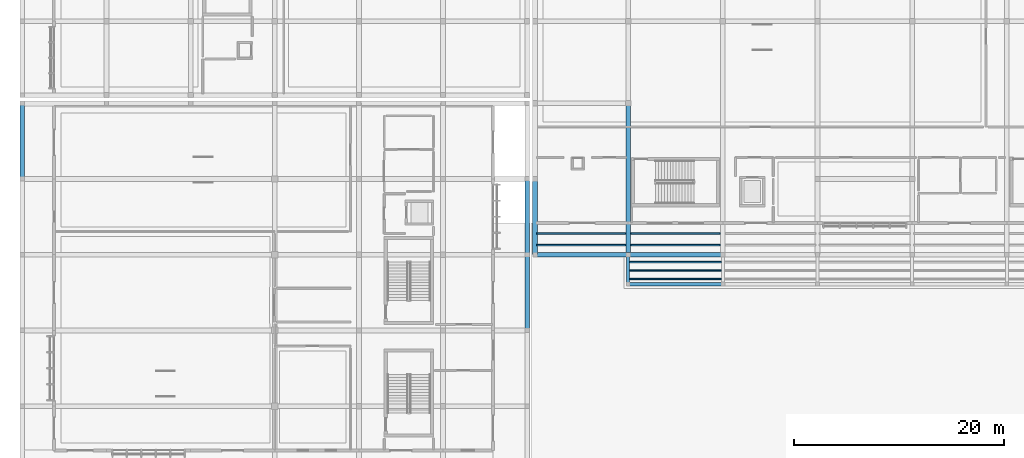
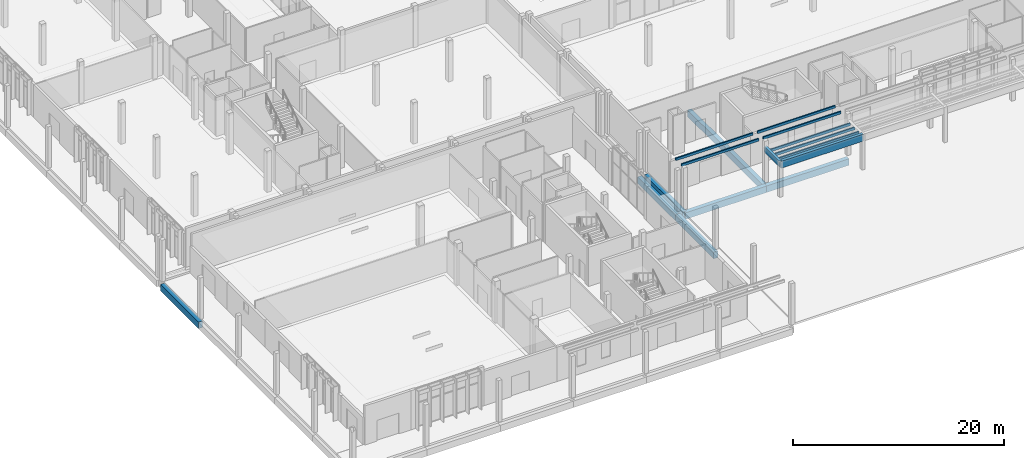
# One storey, part 22 of 151: 9 beams, 7 members.
"""IFC4 building model written with IfcOpenShell, lengths in metres."""

import ifcopenshell
import ifcopenshell.guid

model = None  # the IFC model being written
_history = None  # IfcOwnerHistory: only IFC2X3 demands one
_inside = {}  # id of a spatial element -> (the spatial element, [elements in it])
_under = {}  # id of a project, library or spatial element -> (it, [spatial elements below it])
_declared = {}  # id of a project -> (the project, [libraries it declares])
_typed = {}  # id of a type object -> (the type object, [elements of that type])
_made_of = {}  # id of a material, layer set ... -> (it, [elements and type objects made of it])


def new_model(schema):
    """Start an empty IFC model of exactly this schema.

    Asked for "IFC4X3", IfcOpenShell would pick the latest addendum, in which some entities
    have other attributes; the version numbers below select the first issue.
    IFC2X3 requires an IfcOwnerHistory on every rooted entity: one is made here for all.
    """
    global model, _history
    if schema == "IFC4X3":
        model = ifcopenshell.file(schema_version=(4, 3, 0, 0))
    else:
        model = ifcopenshell.file(schema=schema)
    _inside.clear()
    _under.clear()
    _declared.clear()
    _typed.clear()
    _made_of.clear()
    _history = None
    if model.schema == "IFC2X3":
        org = make("IfcOrganization", Name="unknown")
        user = make(
            "IfcPersonAndOrganization",
            ThePerson=make("IfcPerson", FamilyName="unknown"),
            TheOrganization=org,
        )
        app = make(
            "IfcApplication",
            ApplicationDeveloper=org,
            Version="unknown",
            ApplicationFullName="unknown",
            ApplicationIdentifier="unknown",
        )
        _history = make(
            "IfcOwnerHistory",
            OwningUser=user,
            OwningApplication=app,
            ChangeAction="ADDED",
            CreationDate=0,
        )
    return model


def make(cls, **values):
    """One entity of the class cls with the attributes given. An attribute that is None is left unset."""
    return model.create_entity(
        cls, **{name: value for name, value in values.items() if value is not None}
    )


def rooted(cls, **values):
    """An entity with a GlobalId (a new one), such as an element, a storey or a relation."""
    return make(cls, GlobalId=ifcopenshell.guid.new(), OwnerHistory=_history, **values)


def si_unit(unit_type, name, prefix=None):
    """IfcSIUnit, for example si_unit("LENGTHUNIT", "METRE", prefix="MILLI")."""
    return make("IfcSIUnit", UnitType=unit_type, Prefix=prefix, Name=name)


def assignment(units):
    """IfcUnitAssignment: the units of a project."""
    return None if units is None else make("IfcUnitAssignment", Units=units)


def point(xyz):
    """IfcCartesianPoint."""
    return None if xyz is None else make("IfcCartesianPoint", Coordinates=xyz)


def direction(xyz):
    """IfcDirection."""
    return None if xyz is None else make("IfcDirection", DirectionRatios=xyz)


def frame(location, z_axis=None, x_axis=None):
    """IfcAxis2Placement3D, a coordinate frame: its origin and axes. An axis left out is left unset."""
    return make(
        "IfcAxis2Placement3D",
        Location=point(location),
        Axis=direction(z_axis),
        RefDirection=direction(x_axis),
    )


def frame_2d(location, x_axis=None):
    """IfcAxis2Placement2D, a coordinate frame in the plane: its origin and x axis."""
    return make(
        "IfcAxis2Placement2D", Location=point(location), RefDirection=direction(x_axis)
    )


def origin():
    """The frame at (0, 0, 0) with its axes left unset."""
    return frame((0.0, 0.0, 0.0))


def origin_2d():
    """The frame at (0, 0) in the plane with its x axis left unset."""
    return frame_2d((0.0, 0.0))


def place(relative_to, where):
    """IfcLocalPlacement: puts the frame where relative to a parent placement (None: the world)."""
    return make(
        "IfcLocalPlacement", PlacementRelTo=relative_to, RelativePlacement=where
    )


def context(
    kind, dimensions, precision=None, world=None, true_north=None, identifier=None
):
    """IfcGeometricRepresentationContext, for example the 3D "Model" context."""
    return make(
        "IfcGeometricRepresentationContext",
        ContextIdentifier=identifier,
        ContextType=kind,
        CoordinateSpaceDimension=dimensions,
        Precision=precision,
        WorldCoordinateSystem=world,
        TrueNorth=true_north,
    )


def subcontext(parent, identifier, kind, view, scale=None):
    """IfcGeometricRepresentationSubContext, for example "Body" below "Model"."""
    return make(
        "IfcGeometricRepresentationSubContext",
        ContextIdentifier=identifier,
        ContextType=kind,
        ParentContext=parent,
        TargetScale=scale,
        TargetView=view,
    )


def project(units=None, contexts=None):
    """IfcProject with its units and contexts."""
    return rooted(
        "IfcProject",
        Name="project",
        RepresentationContexts=contexts,
        UnitsInContext=assignment(units),
    )


def spatial(cls, under=None, at=None, **own):
    """A site, building, storey or space (cls), placed at a placement, below another one or the project."""
    s = rooted(cls, ObjectPlacement=at, **own)
    if under is not None:
        _under.setdefault(under.id(), (under, []))[1].append(s)
    return s


def profile(cls, at=None, kind="AREA", **sizes):
    """A parametric profile (cls). Its sizes go by their IFC names, for example OverallWidth=200.0."""
    return make(cls, ProfileType=kind, Position=at, **sizes)


def rectangle(**sizes):
    """IfcRectangleProfileDef."""
    return profile("IfcRectangleProfileDef", **sizes)


def extrude(swept, where, along, depth):
    """IfcExtrudedAreaSolid: the profile swept, set in the frame where, extruded along a direction by depth."""
    return make(
        "IfcExtrudedAreaSolid",
        SweptArea=swept,
        Position=where,
        ExtrudedDirection=direction(along),
        Depth=depth,
    )


def shape(context_of_items, identifier, shape_type, items):
    """IfcShapeRepresentation: the items that make up one representation, for example the "Body"."""
    return make(
        "IfcShapeRepresentation",
        ContextOfItems=context_of_items,
        RepresentationIdentifier=identifier,
        RepresentationType=shape_type,
        Items=items,
    )


def material(Name=None, Category=None):
    """IfcMaterial."""
    return make("IfcMaterial", Name=Name, Category=Category)


def material_profile(
    of_material, cross_section, Name=None, Category=None, Priority=None
):
    """IfcMaterialProfile: a cross section and its material."""
    return make(
        "IfcMaterialProfile",
        Name=Name,
        Material=of_material,
        Profile=cross_section,
        Priority=Priority,
        Category=Category,
    )


def profile_set(profiles, Name=None, composite=None):
    """IfcMaterialProfileSet."""
    return make(
        "IfcMaterialProfileSet",
        Name=Name,
        MaterialProfiles=profiles,
        CompositeProfile=composite,
    )


def made_of(thing, what):
    """Note that an element or type object is made of a material, layer set ...; save() writes the relation."""
    if what is not None:
        _made_of.setdefault(what.id(), (what, []))[1].append(thing)
    return thing


def type_object(cls, material=None, **own):
    """A type object (cls), such as IfcWallType, which elements share."""
    return made_of(rooted(cls, **own), material)


def element(
    cls,
    number,
    at=None,
    inside=None,
    cuts=None,
    type_object=None,
    material=None,
    context=None,
    identifier="Body",
    shape_type=None,
    held_by="IfcProductDefinitionShape",
    body=None,
    shapes=None,
    **own,
):
    """One element of the class cls, such as IfcWall. Its Tag is "e" and its number.

    at: its placement. inside: the storey or other place that contains it. cuts: it is an
    opening in that element (IfcRelVoidsElement). A single representation is given by context,
    identifier, shape_type and body (its items); several are given by shapes. held_by: the class
    of the entity that holds the representations. save() writes the other relations.
    """
    e = rooted(cls, Tag="e%d" % number, ObjectPlacement=at, **own)
    if body is not None:
        shapes = [shape(context, identifier, shape_type, body)]
    if shapes is not None:
        e.Representation = make(held_by, Representations=shapes)
    if inside is not None:
        _inside.setdefault(inside.id(), (inside, []))[1].append(e)
    if cuts is not None:
        rooted(
            "IfcRelVoidsElement", RelatingBuildingElement=cuts, RelatedOpeningElement=e
        )
    if type_object is not None:
        _typed.setdefault(type_object.id(), (type_object, []))[1].append(e)
    return made_of(e, material)


def aggregate(whole, parts):
    """IfcRelAggregates: a whole, such as a stair, and the parts it consists of."""
    return rooted("IfcRelAggregates", RelatingObject=whole, RelatedObjects=parts)


def save(model, path):
    """Write the relations noted so far, then the file.

    IfcRelAggregates (storeys below a building ...), IfcRelContainedInSpatialStructure (elements
    in a storey), IfcRelDefinesByType, IfcRelAssociatesMaterial and IfcRelDeclares: one each for
    every whole, place, type object, material and project.
    """
    for whole, parts in _under.values():
        aggregate(whole, parts)
    for where, things in _inside.values():
        rooted(
            "IfcRelContainedInSpatialStructure",
            RelatedElements=things,
            RelatingStructure=where,
        )
    for kind, things in _typed.values():
        rooted("IfcRelDefinesByType", RelatedObjects=things, RelatingType=kind)
    for what, things in _made_of.values():
        rooted("IfcRelAssociatesMaterial", RelatedObjects=things, RelatingMaterial=what)
    for by, libraries in _declared.values():
        rooted("IfcRelDeclares", RelatingContext=by, RelatedDefinitions=libraries)
    model.write(path)


model = new_model("IFC4")

# Units and contexts
model_context = context("Model", 3, precision=1e-05, world=origin(), true_north=direction((0.0, 1.0)))
body_context = subcontext(model_context, "Body", "Model", "MODEL_VIEW")
ifc_project = project(units=[si_unit("LENGTHUNIT", "METRE"), si_unit("AREAUNIT", "SQUARE_METRE"), si_unit("VOLUMEUNIT", "CUBIC_METRE"), si_unit("PLANEANGLEUNIT", "RADIAN"), si_unit("MASSUNIT", "GRAM", prefix="KILO")], contexts=[model_context])

# Site, building, storey
site_placement = place(None, origin())
site = spatial("IfcSite", under=ifc_project, at=site_placement, CompositionType="ELEMENT")
building_placement = place(site_placement, origin())
building = spatial("IfcBuilding", under=site, at=building_placement, Name="Chiffa Square Polytechnic", CompositionType="ELEMENT")
storey_placement = place(building_placement, origin())
storey = spatial("IfcBuildingStorey", under=building, at=storey_placement, Name="L00", CompositionType="ELEMENT", Elevation=0.0)

# Beams
ifc_material_1 = material(Name="Concrete C35/45", Category="concrete")
ifc_material_profile_1 = material_profile(ifc_material_1, rectangle(XDim=0.449951171875, YDim=0.75, at=origin_2d()), Name="RC 450x750")
ifc_profile_set_1 = profile_set([ifc_material_profile_1], Name="Concrete C35/45")
beam_type_1 = type_object("IfcBeamType", Name="GB-RC-450X750", PredefinedType="BEAM", material=ifc_profile_set_1)
beam_1_placement = place(storey_placement, frame((0.0, 28.800048828125, -0.77490234375), z_axis=(0.0, 1.0, 0.0), x_axis=(-1.0, 0.0, 0.0)))
element("IfcBeam", 1, at=beam_1_placement, inside=storey, type_object=beam_type_1, Name="Ground tie beam GB-V3-Y-076", PredefinedType="BEAM", context=body_context, shape_type="SweptSolid", body=[
    extrude(rectangle(XDim=0.449951171875, YDim=0.75, at=origin_2d()), origin(), (0.0, 0.0, 1.0), 7.199951171875),
])
beam_2_placement = place(storey_placement, frame((48.0, 14.39990234375, -0.77490234375), z_axis=(0.0, 1.0, 0.0), x_axis=(-1.0, 0.0, 0.0)))
element("IfcBeam", 2, at=beam_2_placement, inside=storey, type_object=beam_type_1, Name="Ground tie beam GB-V3-Y-094", PredefinedType="BEAM", context=body_context, shape_type="SweptSolid", body=[
    extrude(rectangle(XDim=0.449951171875, YDim=0.75, at=origin_2d()), origin(), (0.0, 0.0, 1.0), 7.2001953125),
])
beam_3_placement = place(storey_placement, frame((48.0, 21.60009765625, -0.77490234375), z_axis=(0.0, 1.0, 0.0), x_axis=(-1.0, 0.0, 0.0)))
element("IfcBeam", 3, at=beam_3_placement, inside=storey, type_object=beam_type_1, Name="Ground tie beam GB-V3-Y-095", PredefinedType="BEAM", context=body_context, shape_type="SweptSolid", body=[
    extrude(rectangle(XDim=0.449951171875, YDim=0.75, at=origin_2d()), origin(), (0.0, 0.0, 1.0), 7.199951171875),
])
beam_4_placement = place(storey_placement, frame((48.75, 21.60009765625, -0.77490234375), z_axis=(1.0, 0.0, 0.0), x_axis=(0.0, 1.0, 0.0)))
element("IfcBeam", 4, at=beam_4_placement, inside=storey, type_object=beam_type_1, Name="Ground tie beam GB-V4-X-097", PredefinedType="BEAM", context=body_context, shape_type="SweptSolid", body=[
    extrude(rectangle(XDim=0.449951171875, YDim=0.75, at=origin_2d()), origin(), (0.0, 0.0, 1.0), 8.85009765625),
])
beam_5_placement = place(storey_placement, frame((57.60009765625, 21.60009765625, -0.77490234375), z_axis=(1.0, 0.0, 0.0), x_axis=(0.0, 1.0, 0.0)))
element("IfcBeam", 5, at=beam_5_placement, inside=storey, type_object=beam_type_1, Name="Ground tie beam GB-V4-X-098", PredefinedType="BEAM", context=body_context, shape_type="SweptSolid", body=[
    extrude(rectangle(XDim=0.449951171875, YDim=0.75, at=origin_2d()), origin(), (0.0, 0.0, 1.0), 9.0),
])
beam_6_placement = place(storey_placement, frame((48.75, 21.60009765625, -0.77490234375), z_axis=(0.0, 1.0, 0.0), x_axis=(-1.0, 0.0, 0.0)))
element("IfcBeam", 6, at=beam_6_placement, inside=storey, type_object=beam_type_1, Name="Ground tie beam GB-V4-Y-121", PredefinedType="BEAM", context=body_context, shape_type="SweptSolid", body=[
    extrude(rectangle(XDim=0.449951171875, YDim=0.75, at=origin_2d()), origin(), (0.0, 0.0, 1.0), 7.199951171875),
])
beam_7_placement = place(storey_placement, frame((57.60009765625, 21.60009765625, -0.77490234375), z_axis=(0.0, 1.0, 0.0), x_axis=(-1.0, 0.0, 0.0)))
element("IfcBeam", 7, at=beam_7_placement, inside=storey, type_object=beam_type_1, Name="Ground tie beam GB-V4-Y-125", PredefinedType="BEAM", context=body_context, shape_type="SweptSolid", body=[
    extrude(rectangle(XDim=0.449951171875, YDim=0.75, at=origin_2d()), origin(), (0.0, 0.0, 1.0), 14.39990234375),
])

# Members
ifc_material_2 = material(Name="Glulam GL28h", Category="wood")
ifc_material_profile_2 = material_profile(ifc_material_2, rectangle(XDim=0.139892578125, YDim=0.280029296875, at=origin_2d()), Name="GL28h 140x280")
ifc_profile_set_2 = profile_set([ifc_material_profile_2], Name="Glulam GL28h")
member_type = type_object("IfcMemberType", Name="MEM-RFT-GL140", PredefinedType="RAFTER", material=ifc_profile_set_2)
for number, where, z_axis, x_axis, name in (
    (8, (57.739990234375, 19.300048828125, 3.9599609375), (1.0, 0.0, 0.0), (0.0, 1.0, 0.0), "Civic square timber pergola rafter RF-SQN-01-193"),
    (9, (57.739990234375, 20.10009765625, 3.9599609375), (1.0, 0.0, 0.0), (0.0, 1.0, 0.0), "Civic square timber pergola rafter RF-SQN-01-201"),
    (10, (57.739990234375, 20.89990234375, 3.9599609375), (1.0, 0.0, 0.0), (0.0, 1.0, 0.0), "Civic square timber pergola rafter RF-SQN-01-209"),
):
    element("IfcMember", number, at=place(storey_placement, frame(where, z_axis=z_axis, x_axis=x_axis)), inside=storey, type_object=member_type, Name=name, PredefinedType="RAFTER", context=body_context, shape_type="SweptSolid", body=[
        extrude(rectangle(XDim=0.139892578125, YDim=0.280029296875, at=origin_2d()), origin(), (0.0, 0.0, 1.0), 8.719970703125),
    ])
for number, where, z_axis, x_axis, name in (
    (11, (48.923095703125, 22.5, 4.382080078125), (1.0, 0.0, 0.0), (0.0, 1.0, 0.0), "Chiffa Square colonnade purlin rafter RF-COL-S-007"),
    (12, (48.923095703125, 23.60009765625, 4.382080078125), (1.0, 0.0, 0.0), (0.0, 1.0, 0.0), "Chiffa Square colonnade purlin rafter RF-COL-S-008"),
):
    element("IfcMember", number, at=place(storey_placement, frame(where, z_axis=z_axis, x_axis=x_axis)), inside=storey, type_object=member_type, Name=name, PredefinedType="RAFTER", context=body_context, shape_type="SweptSolid", body=[
        extrude(rectangle(XDim=0.139892578125, YDim=0.280029296875, at=origin_2d()), origin(), (0.0, 0.0, 1.0), 8.428955078125),
    ])
for number, where, z_axis, x_axis, name in (
    (13, (57.847900390625, 22.5, 4.382080078125), (1.0, 0.0, 0.0), (0.0, 1.0, 0.0), "Chiffa Square colonnade purlin rafter RF-COL-S-009"),
    (14, (57.847900390625, 23.60009765625, 4.382080078125), (1.0, 0.0, 0.0), (0.0, 1.0, 0.0), "Chiffa Square colonnade purlin rafter RF-COL-S-010"),
):
    element("IfcMember", number, at=place(storey_placement, frame(where, z_axis=z_axis, x_axis=x_axis)), inside=storey, type_object=member_type, Name=name, PredefinedType="RAFTER", context=body_context, shape_type="SweptSolid", body=[
        extrude(rectangle(XDim=0.139892578125, YDim=0.280029296875, at=origin_2d()), origin(), (0.0, 0.0, 1.0), 8.504150390625),
    ])

# Beams
ifc_material_profile_3 = material_profile(ifc_material_2, rectangle(XDim=0.280029296875, YDim=0.639892578125, at=origin_2d()), Name="GL28h 280x640")
ifc_profile_set_3 = profile_set([ifc_material_profile_3], Name="Glulam GL28h")
beam_type_2 = type_object("IfcBeamType", Name="RB-GL-280X640", PredefinedType="SPANDREL", material=ifc_profile_set_3)
beam_8_placement = place(storey_placement, frame((57.60009765625, 18.800048828125, 3.780029296875), z_axis=(0.0, 1.0, 0.0), x_axis=(-1.0, 0.0, 0.0)))
element("IfcBeam", 15, at=beam_8_placement, inside=storey, type_object=beam_type_2, Name="Civic square portico tie beam RB-SQN-TIE-01", PredefinedType="SPANDREL", context=body_context, shape_type="SweptSolid", body=[
    extrude(rectangle(XDim=0.280029296875, YDim=0.639892578125, at=origin_2d()), origin(), (0.0, 0.0, 1.0), 2.800048828125),
])
ifc_material_profile_4 = material_profile(ifc_material_2, rectangle(XDim=0.320068359375, YDim=0.800048828125, at=origin_2d()), Name="GL28h 320x800")
ifc_profile_set_4 = profile_set([ifc_material_profile_4], Name="Glulam GL28h")
beam_type_3 = type_object("IfcBeamType", Name="RB-GL-320X800", PredefinedType="SPANDREL", material=ifc_profile_set_4)
beam_9_placement = place(storey_placement, frame((57.60009765625, 18.800048828125, 3.699951171875), z_axis=(1.0, 0.0, 0.0), x_axis=(0.0, 1.0, 0.0)))
element("IfcBeam", 16, at=beam_9_placement, inside=storey, type_object=beam_type_3, Name="Civic square portico edge beam RB-SQN-EDGE-01", PredefinedType="SPANDREL", context=body_context, shape_type="SweptSolid", body=[
    extrude(rectangle(XDim=0.320068359375, YDim=0.800048828125, at=origin_2d()), origin(), (0.0, 0.0, 1.0), 9.0),
])

save(model, "model.ifc")
